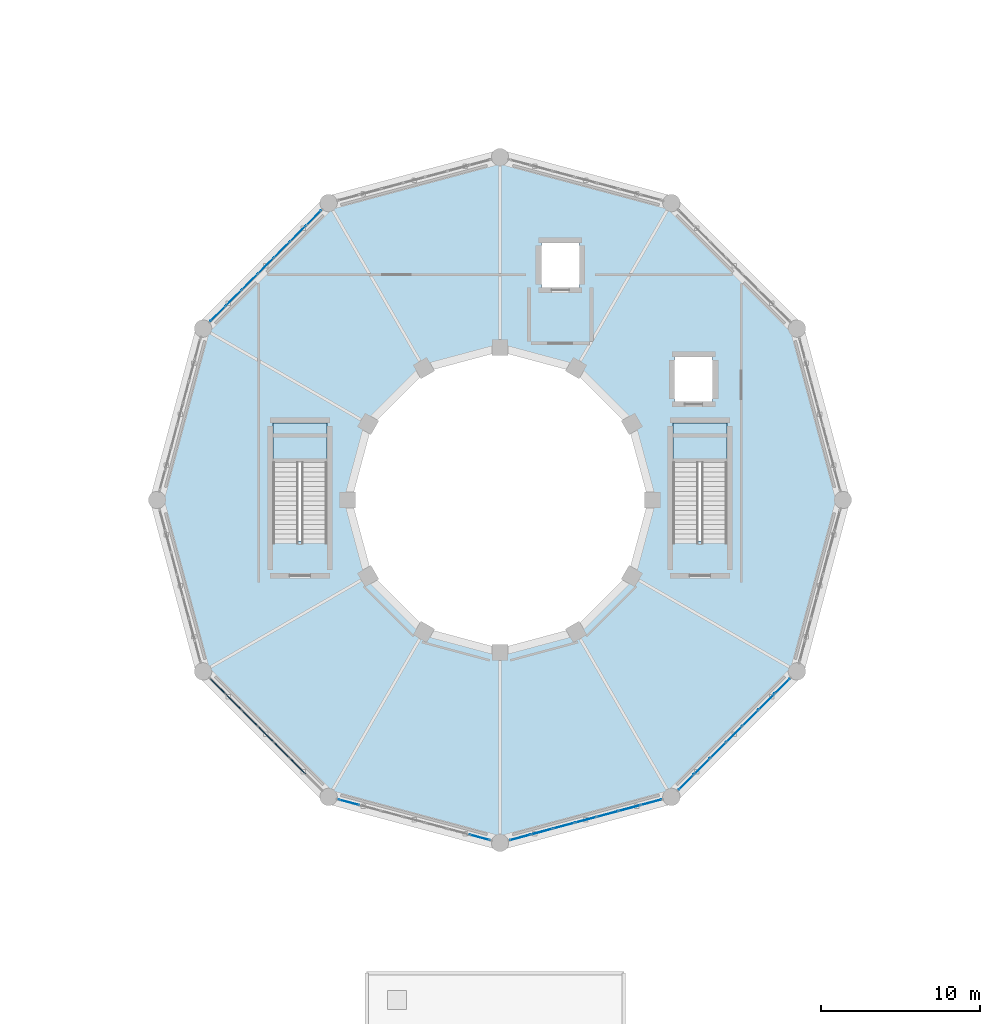
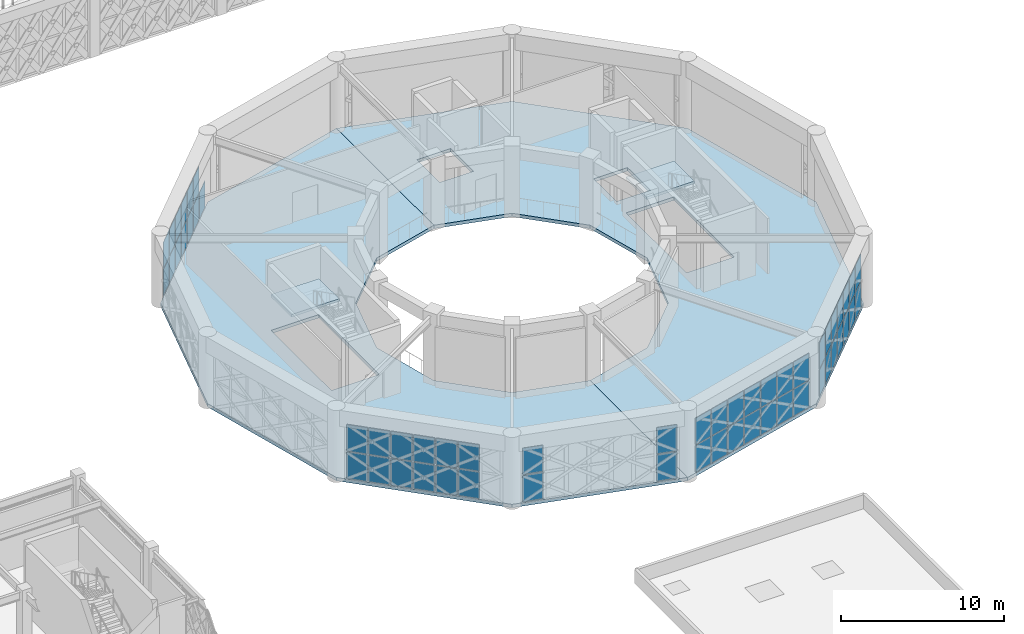
# One storey, part 59 of 72: 57 plates, 4 slabs, 7 elements without a shape of their own.
"""IFC4 building model written with IfcOpenShell, lengths in metres."""

import ifcopenshell
import ifcopenshell.guid

model = None  # the IFC model being written
_history = None  # IfcOwnerHistory: only IFC2X3 demands one
_inside = {}  # id of a spatial element -> (the spatial element, [elements in it])
_under = {}  # id of a project, library or spatial element -> (it, [spatial elements below it])
_declared = {}  # id of a project -> (the project, [libraries it declares])
_typed = {}  # id of a type object -> (the type object, [elements of that type])
_made_of = {}  # id of a material, layer set ... -> (it, [elements and type objects made of it])


def new_model(schema):
    """Start an empty IFC model of exactly this schema.

    Asked for "IFC4X3", IfcOpenShell would pick the latest addendum, in which some entities
    have other attributes; the version numbers below select the first issue.
    IFC2X3 requires an IfcOwnerHistory on every rooted entity: one is made here for all.
    """
    global model, _history
    if schema == "IFC4X3":
        model = ifcopenshell.file(schema_version=(4, 3, 0, 0))
    else:
        model = ifcopenshell.file(schema=schema)
    _inside.clear()
    _under.clear()
    _declared.clear()
    _typed.clear()
    _made_of.clear()
    _history = None
    if model.schema == "IFC2X3":
        org = make("IfcOrganization", Name="unknown")
        user = make(
            "IfcPersonAndOrganization",
            ThePerson=make("IfcPerson", FamilyName="unknown"),
            TheOrganization=org,
        )
        app = make(
            "IfcApplication",
            ApplicationDeveloper=org,
            Version="unknown",
            ApplicationFullName="unknown",
            ApplicationIdentifier="unknown",
        )
        _history = make(
            "IfcOwnerHistory",
            OwningUser=user,
            OwningApplication=app,
            ChangeAction="ADDED",
            CreationDate=0,
        )
    return model


def make(cls, **values):
    """One entity of the class cls with the attributes given. An attribute that is None is left unset."""
    return model.create_entity(
        cls, **{name: value for name, value in values.items() if value is not None}
    )


def rooted(cls, **values):
    """An entity with a GlobalId (a new one), such as an element, a storey or a relation."""
    return make(cls, GlobalId=ifcopenshell.guid.new(), OwnerHistory=_history, **values)


def si_unit(unit_type, name, prefix=None):
    """IfcSIUnit, for example si_unit("LENGTHUNIT", "METRE", prefix="MILLI")."""
    return make("IfcSIUnit", UnitType=unit_type, Prefix=prefix, Name=name)


def assignment(units):
    """IfcUnitAssignment: the units of a project."""
    return None if units is None else make("IfcUnitAssignment", Units=units)


def point(xyz):
    """IfcCartesianPoint."""
    return None if xyz is None else make("IfcCartesianPoint", Coordinates=xyz)


def direction(xyz):
    """IfcDirection."""
    return None if xyz is None else make("IfcDirection", DirectionRatios=xyz)


def frame(location, z_axis=None, x_axis=None):
    """IfcAxis2Placement3D, a coordinate frame: its origin and axes. An axis left out is left unset."""
    return make(
        "IfcAxis2Placement3D",
        Location=point(location),
        Axis=direction(z_axis),
        RefDirection=direction(x_axis),
    )


def frame_2d(location, x_axis=None):
    """IfcAxis2Placement2D, a coordinate frame in the plane: its origin and x axis."""
    return make(
        "IfcAxis2Placement2D", Location=point(location), RefDirection=direction(x_axis)
    )


def origin():
    """The frame at (0, 0, 0) with its axes left unset."""
    return frame((0.0, 0.0, 0.0))


def origin_2d():
    """The frame at (0, 0) in the plane with its x axis left unset."""
    return frame_2d((0.0, 0.0))


def place(relative_to, where):
    """IfcLocalPlacement: puts the frame where relative to a parent placement (None: the world)."""
    return make(
        "IfcLocalPlacement", PlacementRelTo=relative_to, RelativePlacement=where
    )


def context(
    kind, dimensions, precision=None, world=None, true_north=None, identifier=None
):
    """IfcGeometricRepresentationContext, for example the 3D "Model" context."""
    return make(
        "IfcGeometricRepresentationContext",
        ContextIdentifier=identifier,
        ContextType=kind,
        CoordinateSpaceDimension=dimensions,
        Precision=precision,
        WorldCoordinateSystem=world,
        TrueNorth=true_north,
    )


def subcontext(parent, identifier, kind, view, scale=None):
    """IfcGeometricRepresentationSubContext, for example "Body" below "Model"."""
    return make(
        "IfcGeometricRepresentationSubContext",
        ContextIdentifier=identifier,
        ContextType=kind,
        ParentContext=parent,
        TargetScale=scale,
        TargetView=view,
    )


def project(units=None, contexts=None):
    """IfcProject with its units and contexts."""
    return rooted(
        "IfcProject",
        Name="project",
        RepresentationContexts=contexts,
        UnitsInContext=assignment(units),
    )


def spatial(cls, under=None, at=None, **own):
    """A site, building, storey or space (cls), placed at a placement, below another one or the project."""
    s = rooted(cls, ObjectPlacement=at, **own)
    if under is not None:
        _under.setdefault(under.id(), (under, []))[1].append(s)
    return s


def polyline(points):
    """IfcPolyline through the points."""
    return make("IfcPolyline", Points=[point(p) for p in points])


def profile(cls, at=None, kind="AREA", **sizes):
    """A parametric profile (cls). Its sizes go by their IFC names, for example OverallWidth=200.0."""
    return make(cls, ProfileType=kind, Position=at, **sizes)


def rectangle(**sizes):
    """IfcRectangleProfileDef."""
    return profile("IfcRectangleProfileDef", **sizes)


def outline(outer, holes=None, kind="AREA"):
    """IfcArbitraryClosedProfileDef: a profile drawn as a closed curve; with holes, ...WithVoids."""
    if holes is None:
        return make("IfcArbitraryClosedProfileDef", ProfileType=kind, OuterCurve=outer)
    return make(
        "IfcArbitraryProfileDefWithVoids",
        ProfileType=kind,
        OuterCurve=outer,
        InnerCurves=holes,
    )


def extrude(swept, where, along, depth):
    """IfcExtrudedAreaSolid: the profile swept, set in the frame where, extruded along a direction by depth."""
    return make(
        "IfcExtrudedAreaSolid",
        SweptArea=swept,
        Position=where,
        ExtrudedDirection=direction(along),
        Depth=depth,
    )


def shape(context_of_items, identifier, shape_type, items):
    """IfcShapeRepresentation: the items that make up one representation, for example the "Body"."""
    return make(
        "IfcShapeRepresentation",
        ContextOfItems=context_of_items,
        RepresentationIdentifier=identifier,
        RepresentationType=shape_type,
        Items=items,
    )


def material(Name=None, Category=None):
    """IfcMaterial."""
    return make("IfcMaterial", Name=Name, Category=Category)


def layer(
    of_material, thickness, ventilated=None, Name=None, Category=None, Priority=None
):
    """IfcMaterialLayer: one layer of a wall or slab, of a material (None: an air gap)."""
    return make(
        "IfcMaterialLayer",
        Material=of_material,
        LayerThickness=thickness,
        IsVentilated=ventilated,
        Name=Name,
        Category=Category,
        Priority=Priority,
    )


def layer_set(layers, Name=None):
    """IfcMaterialLayerSet."""
    return make("IfcMaterialLayerSet", MaterialLayers=layers, LayerSetName=Name)


def made_of(thing, what):
    """Note that an element or type object is made of a material, layer set ...; save() writes the relation."""
    if what is not None:
        _made_of.setdefault(what.id(), (what, []))[1].append(thing)
    return thing


def type_object(cls, material=None, **own):
    """A type object (cls), such as IfcWallType, which elements share."""
    return made_of(rooted(cls, **own), material)


def element(
    cls,
    number,
    at=None,
    inside=None,
    cuts=None,
    type_object=None,
    material=None,
    context=None,
    identifier="Body",
    shape_type=None,
    held_by="IfcProductDefinitionShape",
    body=None,
    shapes=None,
    **own,
):
    """One element of the class cls, such as IfcWall. Its Tag is "e" and its number.

    at: its placement. inside: the storey or other place that contains it. cuts: it is an
    opening in that element (IfcRelVoidsElement). A single representation is given by context,
    identifier, shape_type and body (its items); several are given by shapes. held_by: the class
    of the entity that holds the representations. save() writes the other relations.
    """
    e = rooted(cls, Tag="e%d" % number, ObjectPlacement=at, **own)
    if body is not None:
        shapes = [shape(context, identifier, shape_type, body)]
    if shapes is not None:
        e.Representation = make(held_by, Representations=shapes)
    if inside is not None:
        _inside.setdefault(inside.id(), (inside, []))[1].append(e)
    if cuts is not None:
        rooted(
            "IfcRelVoidsElement", RelatingBuildingElement=cuts, RelatedOpeningElement=e
        )
    if type_object is not None:
        _typed.setdefault(type_object.id(), (type_object, []))[1].append(e)
    return made_of(e, material)


def aggregate(whole, parts):
    """IfcRelAggregates: a whole, such as a stair, and the parts it consists of."""
    return rooted("IfcRelAggregates", RelatingObject=whole, RelatedObjects=parts)


def save(model, path):
    """Write the relations noted so far, then the file.

    IfcRelAggregates (storeys below a building ...), IfcRelContainedInSpatialStructure (elements
    in a storey), IfcRelDefinesByType, IfcRelAssociatesMaterial and IfcRelDeclares: one each for
    every whole, place, type object, material and project.
    """
    for whole, parts in _under.values():
        aggregate(whole, parts)
    for where, things in _inside.values():
        rooted(
            "IfcRelContainedInSpatialStructure",
            RelatedElements=things,
            RelatingStructure=where,
        )
    for kind, things in _typed.values():
        rooted("IfcRelDefinesByType", RelatedObjects=things, RelatingType=kind)
    for what, things in _made_of.values():
        rooted("IfcRelAssociatesMaterial", RelatedObjects=things, RelatingMaterial=what)
    for by, libraries in _declared.values():
        rooted("IfcRelDeclares", RelatingContext=by, RelatedDefinitions=libraries)
    model.write(path)


model = new_model("IFC4")

# Units and contexts
model_context = context("Model", 3, precision=1e-05, world=origin(), true_north=direction((0.0, 1.0)))
body_context = subcontext(model_context, "Body", "Model", "MODEL_VIEW")
ifc_project = project(units=[si_unit("LENGTHUNIT", "METRE"), si_unit("AREAUNIT", "SQUARE_METRE"), si_unit("VOLUMEUNIT", "CUBIC_METRE"), si_unit("PLANEANGLEUNIT", "RADIAN"), si_unit("MASSUNIT", "GRAM", prefix="KILO")], contexts=[model_context])

# Site, building, storey
site_placement = place(None, origin())
site = spatial("IfcSite", under=ifc_project, at=site_placement, CompositionType="ELEMENT")
building_placement = place(site_placement, origin())
building = spatial("IfcBuilding", under=site, at=building_placement, Name="Haizhuo Lancet Aquarium", CompositionType="ELEMENT")
storey_placement = place(building_placement, frame((0.0, 0.0, 21.60009765625)))
storey = spatial("IfcBuildingStorey", under=building, at=storey_placement, Name="L04", CompositionType="ELEMENT", Elevation=21.60009765625)

# Curtain wall, plates
ifc_material_1 = material(Name="Aluminium 6063-T6", Category="aluminium")
curtain_wall_type = type_object("IfcCurtainWallType", Name="CWO-9990x4180", PredefinedType="NOTDEFINED", material=ifc_material_1)
curtain_wall_1_placement = place(storey_placement, origin())
curtain_wall_1 = element("IfcCurtainWall", 1, at=curtain_wall_1_placement, inside=storey, type_object=curtain_wall_type, Name="L04 curtain wall CW-V1-L04-05", PredefinedType="NOTDEFINED")
ifc_material_2 = material(Name="Laminated Low-E Glass", Category="glass")
ifc_layer_1 = layer(ifc_material_2, 0.028076171875)
ifc_layer_set_1 = layer_set([ifc_layer_1], Name="Laminated Low-E Glass")
plate_type_1 = type_object("IfcPlateType", Name="CW-PNL-1", PredefinedType="CURTAIN_PANEL", material=ifc_layer_set_1)
plate_1_placement = place(storey_placement, frame((-17.76708984375, 11.739013671875, 0.074951171875), z_axis=(0.0, 0.0, 1.0), x_axis=(0.707106781187, 0.707106781187, 0.0)))
plate_1 = element("IfcPlate", 2, at=plate_1_placement, type_object=plate_type_1, Name="CWO-99x41 panel 1.1", PredefinedType="CURTAIN_PANEL", context=body_context, shape_type="SweptSolid", body=[
    extrude(rectangle(XDim=1.31494140625, YDim=0.028076171875, at=origin_2d()), origin(), (0.0, 0.0, 1.0), 1.97998046875),
])
plate_2_placement = place(storey_placement, frame((-17.76708984375, 11.739013671875, 2.13037109375), z_axis=(0.0, 0.0, 1.0), x_axis=(0.707106781187, 0.707106781187, 0.0)))
plate_2 = element("IfcPlate", 3, at=plate_2_placement, type_object=plate_type_1, Name="CWO-99x41 panel 1.2", PredefinedType="CURTAIN_PANEL", context=body_context, shape_type="SweptSolid", body=[
    extrude(rectangle(XDim=1.31494140625, YDim=0.028076171875, at=origin_2d()), origin(), (0.0, 0.0, 1.0), 1.97900390625),
])
plate_3_placement = place(storey_placement, frame((-16.77099609375, 12.735107421875, 0.074951171875), z_axis=(0.0, 0.0, 1.0), x_axis=(0.707106781187, 0.707106781187, 0.0)))
plate_3 = element("IfcPlate", 4, at=plate_3_placement, type_object=plate_type_1, Name="CWO-99x41 panel 2.1", PredefinedType="CURTAIN_PANEL", context=body_context, shape_type="SweptSolid", body=[
    extrude(rectangle(XDim=1.35205078125, YDim=0.028076171875, at=origin_2d()), origin(), (0.0, 0.0, 1.0), 1.97998046875),
])
plate_4_placement = place(storey_placement, frame((-16.77099609375, 12.735107421875, 2.13037109375), z_axis=(0.0, 0.0, 1.0), x_axis=(0.707106781187, 0.707106781187, 0.0)))
plate_4 = element("IfcPlate", 5, at=plate_4_placement, type_object=plate_type_1, Name="CWO-99x41 panel 2.2", PredefinedType="CURTAIN_PANEL", context=body_context, shape_type="SweptSolid", body=[
    extrude(rectangle(XDim=1.35205078125, YDim=0.028076171875, at=origin_2d()), origin(), (0.0, 0.0, 1.0), 1.97900390625),
])
plate_5_placement = place(storey_placement, frame((-15.761962890625, 13.743896484375, 0.074951171875), z_axis=(0.0, 0.0, 1.0), x_axis=(0.707106781187, 0.707106781187, 0.0)))
plate_5 = element("IfcPlate", 6, at=plate_5_placement, type_object=plate_type_1, Name="CWO-99x41 panel 3.1", PredefinedType="CURTAIN_PANEL", context=body_context, shape_type="SweptSolid", body=[
    extrude(rectangle(XDim=1.35205078125, YDim=0.028076171875, at=origin_2d()), origin(), (0.0, 0.0, 1.0), 1.97998046875),
])
plate_6_placement = place(storey_placement, frame((-15.761962890625, 13.743896484375, 2.13037109375), z_axis=(0.0, 0.0, 1.0), x_axis=(0.707106781187, 0.707106781187, 0.0)))
plate_6 = element("IfcPlate", 7, at=plate_6_placement, type_object=plate_type_1, Name="CWO-99x41 panel 3.2", PredefinedType="CURTAIN_PANEL", context=body_context, shape_type="SweptSolid", body=[
    extrude(rectangle(XDim=1.35205078125, YDim=0.028076171875, at=origin_2d()), origin(), (0.0, 0.0, 1.0), 1.97900390625),
])
plate_7_placement = place(storey_placement, frame((-14.7529296875, 14.7529296875, 0.074951171875), z_axis=(0.0, 0.0, 1.0), x_axis=(0.707106781187, 0.707106781187, 0.0)))
plate_7 = element("IfcPlate", 8, at=plate_7_placement, type_object=plate_type_1, Name="CWO-99x41 panel 4.1", PredefinedType="CURTAIN_PANEL", context=body_context, shape_type="SweptSolid", body=[
    extrude(rectangle(XDim=1.35205078125, YDim=0.028076171875, at=origin_2d()), origin(), (0.0, 0.0, 1.0), 1.97998046875),
])
plate_8_placement = place(storey_placement, frame((-14.7529296875, 14.7529296875, 2.13037109375), z_axis=(0.0, 0.0, 1.0), x_axis=(0.707106781187, 0.707106781187, 0.0)))
plate_8 = element("IfcPlate", 9, at=plate_8_placement, type_object=plate_type_1, Name="CWO-99x41 panel 4.2", PredefinedType="CURTAIN_PANEL", context=body_context, shape_type="SweptSolid", body=[
    extrude(rectangle(XDim=1.35205078125, YDim=0.028076171875, at=origin_2d()), origin(), (0.0, 0.0, 1.0), 1.97900390625),
])
plate_9_placement = place(storey_placement, frame((-13.743896484375, 15.761962890625, 0.074951171875), z_axis=(0.0, 0.0, 1.0), x_axis=(0.707106781187, 0.707106781187, 0.0)))
plate_9 = element("IfcPlate", 10, at=plate_9_placement, type_object=plate_type_1, Name="CWO-99x41 panel 5.1", PredefinedType="CURTAIN_PANEL", context=body_context, shape_type="SweptSolid", body=[
    extrude(rectangle(XDim=1.35205078125, YDim=0.028076171875, at=origin_2d()), origin(), (0.0, 0.0, 1.0), 1.97998046875),
])
plate_10_placement = place(storey_placement, frame((-13.743896484375, 15.761962890625, 2.13037109375), z_axis=(0.0, 0.0, 1.0), x_axis=(0.707106781187, 0.707106781187, 0.0)))
plate_10 = element("IfcPlate", 11, at=plate_10_placement, type_object=plate_type_1, Name="CWO-99x41 panel 5.2", PredefinedType="CURTAIN_PANEL", context=body_context, shape_type="SweptSolid", body=[
    extrude(rectangle(XDim=1.35205078125, YDim=0.028076171875, at=origin_2d()), origin(), (0.0, 0.0, 1.0), 1.97900390625),
])
plate_11_placement = place(storey_placement, frame((-12.735107421875, 16.77099609375, 0.074951171875), z_axis=(0.0, 0.0, 1.0), x_axis=(0.707106781187, 0.707106781187, 0.0)))
plate_11 = element("IfcPlate", 12, at=plate_11_placement, type_object=plate_type_1, Name="CWO-99x41 panel 6.1", PredefinedType="CURTAIN_PANEL", context=body_context, shape_type="SweptSolid", body=[
    extrude(rectangle(XDim=1.35205078125, YDim=0.028076171875, at=origin_2d()), origin(), (0.0, 0.0, 1.0), 1.97998046875),
])
plate_12_placement = place(storey_placement, frame((-12.735107421875, 16.77099609375, 2.13037109375), z_axis=(0.0, 0.0, 1.0), x_axis=(0.707106781187, 0.707106781187, 0.0)))
plate_12 = element("IfcPlate", 13, at=plate_12_placement, type_object=plate_type_1, Name="CWO-99x41 panel 6.2", PredefinedType="CURTAIN_PANEL", context=body_context, shape_type="SweptSolid", body=[
    extrude(rectangle(XDim=1.35205078125, YDim=0.028076171875, at=origin_2d()), origin(), (0.0, 0.0, 1.0), 1.97900390625),
])
plate_13_placement = place(storey_placement, frame((-11.739013671875, 17.76708984375, 0.074951171875), z_axis=(0.0, 0.0, 1.0), x_axis=(0.707106781187, 0.707106781187, 0.0)))
plate_13 = element("IfcPlate", 14, at=plate_13_placement, type_object=plate_type_1, Name="CWO-99x41 panel 7.1", PredefinedType="CURTAIN_PANEL", context=body_context, shape_type="SweptSolid", body=[
    extrude(rectangle(XDim=1.31494140625, YDim=0.028076171875, at=origin_2d()), origin(), (0.0, 0.0, 1.0), 1.97998046875),
])
aggregate(curtain_wall_1, [plate_1, plate_2, plate_3, plate_4, plate_5, plate_6, plate_7, plate_8, plate_9, plate_10, plate_11, plate_12, plate_13])

curtain_wall_2_placement = place(storey_placement, origin())
curtain_wall_2 = element("IfcCurtainWall", 15, at=curtain_wall_2_placement, inside=storey, type_object=curtain_wall_type, Name="L04 curtain wall CW-V1-L04-09", PredefinedType="NOTDEFINED")
plate_14_placement = place(storey_placement, frame((-1.283935546875, -21.256103515625, 0.07958984375), z_axis=(0.0, 0.0, 1.0), x_axis=(-0.965916791212, 0.258852762117, 0.0)))
plate_14 = element("IfcPlate", 16, at=plate_14_placement, type_object=plate_type_1, Name="CWO-99x41 panel 1.1", PredefinedType="CURTAIN_PANEL", context=body_context, shape_type="SweptSolid", body=[
    extrude(rectangle(XDim=1.306884765625, YDim=0.028076171875, at=origin_2d()), origin(), (0.0, 0.0, 1.0), 1.972900390625),
])
plate_15_placement = place(storey_placement, frame((-1.283935546875, -21.256103515625, 2.1328125), z_axis=(0.0, 0.0, 1.0), x_axis=(-0.965916791212, 0.258852762117, 0.0)))
plate_15 = element("IfcPlate", 17, at=plate_15_placement, type_object=plate_type_1, Name="CWO-99x41 panel 1.2", PredefinedType="CURTAIN_PANEL", context=body_context, shape_type="SweptSolid", body=[
    extrude(rectangle(XDim=1.306884765625, YDim=0.028076171875, at=origin_2d()), origin(), (0.0, 0.0, 1.0), 1.971923828125),
])
plate_16_placement = place(storey_placement, frame((-9.51611328125, -19.050048828125, 0.07958984375), z_axis=(0.0, 0.0, 1.0), x_axis=(-0.965916791212, 0.258852762117, 0.0)))
plate_16 = element("IfcPlate", 18, at=plate_16_placement, type_object=plate_type_1, Name="CWO-99x41 panel 7.1", PredefinedType="CURTAIN_PANEL", context=body_context, shape_type="SweptSolid", body=[
    extrude(rectangle(XDim=1.306884765625, YDim=0.028076171875, at=origin_2d()), origin(), (0.0, 0.0, 1.0), 1.972900390625),
])
plate_17_placement = place(storey_placement, frame((-9.51611328125, -19.050048828125, 2.1328125), z_axis=(0.0, 0.0, 1.0), x_axis=(-0.965916791212, 0.258852762117, 0.0)))
plate_17 = element("IfcPlate", 19, at=plate_17_placement, type_object=plate_type_1, Name="CWO-99x41 panel 7.2", PredefinedType="CURTAIN_PANEL", context=body_context, shape_type="SweptSolid", body=[
    extrude(rectangle(XDim=1.306884765625, YDim=0.028076171875, at=origin_2d()), origin(), (0.0, 0.0, 1.0), 1.971923828125),
])
aggregate(curtain_wall_2, [plate_14, plate_15, plate_16, plate_17])

curtain_wall_3_placement = place(storey_placement, origin())
curtain_wall_3 = element("IfcCurtainWall", 20, at=curtain_wall_3_placement, inside=storey, type_object=curtain_wall_type, Name="L04 curtain wall CW-V1-L04-10", PredefinedType="NOTDEFINED")
ifc_layer_2 = layer(ifc_material_2, 0.033935546875)
ifc_layer_set_2 = layer_set([ifc_layer_2], Name="Laminated Low-E Glass")
plate_type_2 = type_object("IfcPlateType", Name="CW-PNL-2", PredefinedType="CURTAIN_PANEL", material=ifc_layer_set_2)
plate_18_placement = place(storey_placement, frame((9.52001953125, -19.049072265625, 0.06494140625), z_axis=(0.0, 0.0, 1.0), x_axis=(-0.965916791212, -0.258852762117, 0.0)))
plate_18 = element("IfcPlate", 21, at=plate_18_placement, type_object=plate_type_2, Name="CWO-99x41 panel 1.1", PredefinedType="CURTAIN_PANEL", context=body_context, shape_type="SweptSolid", body=[
    extrude(rectangle(XDim=1.330078125, YDim=0.033935546875, at=origin_2d()), origin(), (0.0, 0.0, 1.0), 1.99609375),
])
plate_19_placement = place(storey_placement, frame((9.52001953125, -19.049072265625, 2.125244140625), z_axis=(0.0, 0.0, 1.0), x_axis=(-0.965916791212, -0.258852762117, 0.0)))
plate_19 = element("IfcPlate", 22, at=plate_19_placement, type_object=plate_type_2, Name="CWO-99x41 panel 1.2", PredefinedType="CURTAIN_PANEL", context=body_context, shape_type="SweptSolid", body=[
    extrude(rectangle(XDim=1.330078125, YDim=0.033935546875, at=origin_2d()), origin(), (0.0, 0.0, 1.0), 1.9951171875),
])
plate_20_placement = place(storey_placement, frame((8.156982421875, -19.4140625, 0.06494140625), z_axis=(0.0, 0.0, 1.0), x_axis=(-0.965916791212, -0.258852762117, 0.0)))
plate_20 = element("IfcPlate", 23, at=plate_20_placement, type_object=plate_type_2, Name="CWO-99x41 panel 2.1", PredefinedType="CURTAIN_PANEL", context=body_context, shape_type="SweptSolid", body=[
    extrude(rectangle(XDim=1.362060546875, YDim=0.033935546875, at=origin_2d()), origin(), (0.0, 0.0, 1.0), 1.99609375),
])
plate_21_placement = place(storey_placement, frame((8.156982421875, -19.4140625, 2.125244140625), z_axis=(0.0, 0.0, 1.0), x_axis=(-0.965916791212, -0.258852762117, 0.0)))
plate_21 = element("IfcPlate", 24, at=plate_21_placement, type_object=plate_type_2, Name="CWO-99x41 panel 2.2", PredefinedType="CURTAIN_PANEL", context=body_context, shape_type="SweptSolid", body=[
    extrude(rectangle(XDim=1.362060546875, YDim=0.033935546875, at=origin_2d()), origin(), (0.0, 0.0, 1.0), 1.9951171875),
])
plate_22_placement = place(storey_placement, frame((6.779052734375, -19.783935546875, 0.06494140625), z_axis=(0.0, 0.0, 1.0), x_axis=(-0.965916791212, -0.258852762117, 0.0)))
plate_22 = element("IfcPlate", 25, at=plate_22_placement, type_object=plate_type_2, Name="CWO-99x41 panel 3.1", PredefinedType="CURTAIN_PANEL", context=body_context, shape_type="SweptSolid", body=[
    extrude(rectangle(XDim=1.362060546875, YDim=0.033935546875, at=origin_2d()), origin(), (0.0, 0.0, 1.0), 1.99609375),
])
plate_23_placement = place(storey_placement, frame((6.779052734375, -19.783935546875, 2.125244140625), z_axis=(0.0, 0.0, 1.0), x_axis=(-0.965916791212, -0.258852762117, 0.0)))
plate_23 = element("IfcPlate", 26, at=plate_23_placement, type_object=plate_type_2, Name="CWO-99x41 panel 3.2", PredefinedType="CURTAIN_PANEL", context=body_context, shape_type="SweptSolid", body=[
    extrude(rectangle(XDim=1.362060546875, YDim=0.033935546875, at=origin_2d()), origin(), (0.0, 0.0, 1.0), 1.9951171875),
])
plate_24_placement = place(storey_placement, frame((5.39990234375, -20.153076171875, 0.06494140625), z_axis=(0.0, 0.0, 1.0), x_axis=(-0.965916791212, -0.258852762117, 0.0)))
plate_24 = element("IfcPlate", 27, at=plate_24_placement, type_object=plate_type_2, Name="CWO-99x41 panel 4.1", PredefinedType="CURTAIN_PANEL", context=body_context, shape_type="SweptSolid", body=[
    extrude(rectangle(XDim=1.362060546875, YDim=0.033935546875, at=origin_2d()), origin(), (0.0, 0.0, 1.0), 1.99609375),
])
plate_25_placement = place(storey_placement, frame((5.39990234375, -20.153076171875, 2.125244140625), z_axis=(0.0, 0.0, 1.0), x_axis=(-0.965916791212, -0.258852762117, 0.0)))
plate_25 = element("IfcPlate", 28, at=plate_25_placement, type_object=plate_type_2, Name="CWO-99x41 panel 4.2", PredefinedType="CURTAIN_PANEL", context=body_context, shape_type="SweptSolid", body=[
    extrude(rectangle(XDim=1.362060546875, YDim=0.033935546875, at=origin_2d()), origin(), (0.0, 0.0, 1.0), 1.9951171875),
])
plate_26_placement = place(storey_placement, frame((4.02099609375, -20.52197265625, 0.06494140625), z_axis=(0.0, 0.0, 1.0), x_axis=(-0.965916791212, -0.258852762117, 0.0)))
plate_26 = element("IfcPlate", 29, at=plate_26_placement, type_object=plate_type_2, Name="CWO-99x41 panel 5.1", PredefinedType="CURTAIN_PANEL", context=body_context, shape_type="SweptSolid", body=[
    extrude(rectangle(XDim=1.362060546875, YDim=0.033935546875, at=origin_2d()), origin(), (0.0, 0.0, 1.0), 1.99609375),
])
plate_27_placement = place(storey_placement, frame((4.02099609375, -20.52197265625, 2.125244140625), z_axis=(0.0, 0.0, 1.0), x_axis=(-0.965916791212, -0.258852762117, 0.0)))
plate_27 = element("IfcPlate", 30, at=plate_27_placement, type_object=plate_type_2, Name="CWO-99x41 panel 5.2", PredefinedType="CURTAIN_PANEL", context=body_context, shape_type="SweptSolid", body=[
    extrude(rectangle(XDim=1.362060546875, YDim=0.033935546875, at=origin_2d()), origin(), (0.0, 0.0, 1.0), 1.9951171875),
])
plate_28_placement = place(storey_placement, frame((2.64306640625, -20.89208984375, 0.06494140625), z_axis=(0.0, 0.0, 1.0), x_axis=(-0.965916791212, -0.258852762117, 0.0)))
plate_28 = element("IfcPlate", 31, at=plate_28_placement, type_object=plate_type_2, Name="CWO-99x41 panel 6.1", PredefinedType="CURTAIN_PANEL", context=body_context, shape_type="SweptSolid", body=[
    extrude(rectangle(XDim=1.362060546875, YDim=0.033935546875, at=origin_2d()), origin(), (0.0, 0.0, 1.0), 1.99609375),
])
plate_29_placement = place(storey_placement, frame((2.64306640625, -20.89208984375, 2.125244140625), z_axis=(0.0, 0.0, 1.0), x_axis=(-0.965916791212, -0.258852762117, 0.0)))
plate_29 = element("IfcPlate", 32, at=plate_29_placement, type_object=plate_type_2, Name="CWO-99x41 panel 6.2", PredefinedType="CURTAIN_PANEL", context=body_context, shape_type="SweptSolid", body=[
    extrude(rectangle(XDim=1.362060546875, YDim=0.033935546875, at=origin_2d()), origin(), (0.0, 0.0, 1.0), 1.9951171875),
])
plate_30_placement = place(storey_placement, frame((1.280029296875, -21.257080078125, 0.06494140625), z_axis=(0.0, 0.0, 1.0), x_axis=(-0.965916791212, -0.258852762117, 0.0)))
plate_30 = element("IfcPlate", 33, at=plate_30_placement, type_object=plate_type_2, Name="CWO-99x41 panel 7.1", PredefinedType="CURTAIN_PANEL", context=body_context, shape_type="SweptSolid", body=[
    extrude(rectangle(XDim=1.330078125, YDim=0.033935546875, at=origin_2d()), origin(), (0.0, 0.0, 1.0), 1.99609375),
])
plate_31_placement = place(storey_placement, frame((1.280029296875, -21.257080078125, 2.125244140625), z_axis=(0.0, 0.0, 1.0), x_axis=(-0.965916791212, -0.258852762117, 0.0)))
plate_31 = element("IfcPlate", 34, at=plate_31_placement, type_object=plate_type_2, Name="CWO-99x41 panel 7.2", PredefinedType="CURTAIN_PANEL", context=body_context, shape_type="SweptSolid", body=[
    extrude(rectangle(XDim=1.330078125, YDim=0.033935546875, at=origin_2d()), origin(), (0.0, 0.0, 1.0), 1.9951171875),
])
aggregate(curtain_wall_3, [plate_18, plate_19, plate_20, plate_21, plate_22, plate_23, plate_24, plate_25, plate_26, plate_27, plate_28, plate_29, plate_30, plate_31])

curtain_wall_4_placement = place(storey_placement, origin())
curtain_wall_4 = element("IfcCurtainWall", 35, at=curtain_wall_4_placement, inside=storey, type_object=curtain_wall_type, Name="L04 curtain wall CW-V1-L04-11", PredefinedType="NOTDEFINED")
ifc_layer_3 = layer(ifc_material_2, 0.0419921875)
ifc_layer_set_3 = layer_set([ifc_layer_3], Name="Laminated Low-E Glass")
plate_type_3 = type_object("IfcPlateType", Name="CW-PNL-3", PredefinedType="CURTAIN_PANEL", material=ifc_layer_set_3)
plate_32_placement = place(storey_placement, frame((17.76708984375, -11.739013671875, 0.074951171875), z_axis=(0.0, 0.0, 1.0), x_axis=(-0.707106781187, -0.707106781187, 0.0)))
plate_32 = element("IfcPlate", 36, at=plate_32_placement, type_object=plate_type_3, Name="CWO-99x41 panel 1.1", PredefinedType="CURTAIN_PANEL", context=body_context, shape_type="SweptSolid", body=[
    extrude(rectangle(XDim=1.31494140625, YDim=0.0419921875, at=origin_2d()), origin(), (0.0, 0.0, 1.0), 1.97998046875),
])
plate_33_placement = place(storey_placement, frame((17.76708984375, -11.739013671875, 2.13037109375), z_axis=(0.0, 0.0, 1.0), x_axis=(-0.707106781187, -0.707106781187, 0.0)))
plate_33 = element("IfcPlate", 37, at=plate_33_placement, type_object=plate_type_3, Name="CWO-99x41 panel 1.2", PredefinedType="CURTAIN_PANEL", context=body_context, shape_type="SweptSolid", body=[
    extrude(rectangle(XDim=1.31494140625, YDim=0.0419921875, at=origin_2d()), origin(), (0.0, 0.0, 1.0), 1.97900390625),
])
plate_34_placement = place(storey_placement, frame((16.77099609375, -12.735107421875, 0.074951171875), z_axis=(0.0, 0.0, 1.0), x_axis=(-0.707106781187, -0.707106781187, 0.0)))
plate_34 = element("IfcPlate", 38, at=plate_34_placement, type_object=plate_type_3, Name="CWO-99x41 panel 2.1", PredefinedType="CURTAIN_PANEL", context=body_context, shape_type="SweptSolid", body=[
    extrude(rectangle(XDim=1.35205078125, YDim=0.0419921875, at=origin_2d()), origin(), (0.0, 0.0, 1.0), 1.97998046875),
])
plate_35_placement = place(storey_placement, frame((16.77099609375, -12.735107421875, 2.13037109375), z_axis=(0.0, 0.0, 1.0), x_axis=(-0.707106781187, -0.707106781187, 0.0)))
plate_35 = element("IfcPlate", 39, at=plate_35_placement, type_object=plate_type_3, Name="CWO-99x41 panel 2.2", PredefinedType="CURTAIN_PANEL", context=body_context, shape_type="SweptSolid", body=[
    extrude(rectangle(XDim=1.35205078125, YDim=0.0419921875, at=origin_2d()), origin(), (0.0, 0.0, 1.0), 1.97900390625),
])
plate_36_placement = place(storey_placement, frame((15.761962890625, -13.743896484375, 0.074951171875), z_axis=(0.0, 0.0, 1.0), x_axis=(-0.707106781187, -0.707106781187, 0.0)))
plate_36 = element("IfcPlate", 40, at=plate_36_placement, type_object=plate_type_3, Name="CWO-99x41 panel 3.1", PredefinedType="CURTAIN_PANEL", context=body_context, shape_type="SweptSolid", body=[
    extrude(rectangle(XDim=1.35205078125, YDim=0.0419921875, at=origin_2d()), origin(), (0.0, 0.0, 1.0), 1.97998046875),
])
plate_37_placement = place(storey_placement, frame((15.761962890625, -13.743896484375, 2.13037109375), z_axis=(0.0, 0.0, 1.0), x_axis=(-0.707106781187, -0.707106781187, 0.0)))
plate_37 = element("IfcPlate", 41, at=plate_37_placement, type_object=plate_type_3, Name="CWO-99x41 panel 3.2", PredefinedType="CURTAIN_PANEL", context=body_context, shape_type="SweptSolid", body=[
    extrude(rectangle(XDim=1.35205078125, YDim=0.0419921875, at=origin_2d()), origin(), (0.0, 0.0, 1.0), 1.97900390625),
])
plate_38_placement = place(storey_placement, frame((14.7529296875, -14.7529296875, 0.074951171875), z_axis=(0.0, 0.0, 1.0), x_axis=(-0.707106781187, -0.707106781187, 0.0)))
plate_38 = element("IfcPlate", 42, at=plate_38_placement, type_object=plate_type_3, Name="CWO-99x41 panel 4.1", PredefinedType="CURTAIN_PANEL", context=body_context, shape_type="SweptSolid", body=[
    extrude(rectangle(XDim=1.35205078125, YDim=0.0419921875, at=origin_2d()), origin(), (0.0, 0.0, 1.0), 1.97998046875),
])
plate_39_placement = place(storey_placement, frame((14.7529296875, -14.7529296875, 2.13037109375), z_axis=(0.0, 0.0, 1.0), x_axis=(-0.707106781187, -0.707106781187, 0.0)))
plate_39 = element("IfcPlate", 43, at=plate_39_placement, type_object=plate_type_3, Name="CWO-99x41 panel 4.2", PredefinedType="CURTAIN_PANEL", context=body_context, shape_type="SweptSolid", body=[
    extrude(rectangle(XDim=1.35205078125, YDim=0.0419921875, at=origin_2d()), origin(), (0.0, 0.0, 1.0), 1.97900390625),
])
plate_40_placement = place(storey_placement, frame((13.743896484375, -15.761962890625, 0.074951171875), z_axis=(0.0, 0.0, 1.0), x_axis=(-0.707106781187, -0.707106781187, 0.0)))
plate_40 = element("IfcPlate", 44, at=plate_40_placement, type_object=plate_type_3, Name="CWO-99x41 panel 5.1", PredefinedType="CURTAIN_PANEL", context=body_context, shape_type="SweptSolid", body=[
    extrude(rectangle(XDim=1.35205078125, YDim=0.0419921875, at=origin_2d()), origin(), (0.0, 0.0, 1.0), 1.97998046875),
])
plate_41_placement = place(storey_placement, frame((13.743896484375, -15.761962890625, 2.13037109375), z_axis=(0.0, 0.0, 1.0), x_axis=(-0.707106781187, -0.707106781187, 0.0)))
plate_41 = element("IfcPlate", 45, at=plate_41_placement, type_object=plate_type_3, Name="CWO-99x41 panel 5.2", PredefinedType="CURTAIN_PANEL", context=body_context, shape_type="SweptSolid", body=[
    extrude(rectangle(XDim=1.35205078125, YDim=0.0419921875, at=origin_2d()), origin(), (0.0, 0.0, 1.0), 1.97900390625),
])
plate_42_placement = place(storey_placement, frame((12.735107421875, -16.77099609375, 0.074951171875), z_axis=(0.0, 0.0, 1.0), x_axis=(-0.707106781187, -0.707106781187, 0.0)))
plate_42 = element("IfcPlate", 46, at=plate_42_placement, type_object=plate_type_3, Name="CWO-99x41 panel 6.1", PredefinedType="CURTAIN_PANEL", context=body_context, shape_type="SweptSolid", body=[
    extrude(rectangle(XDim=1.35205078125, YDim=0.0419921875, at=origin_2d()), origin(), (0.0, 0.0, 1.0), 1.97998046875),
])
plate_43_placement = place(storey_placement, frame((12.735107421875, -16.77099609375, 2.13037109375), z_axis=(0.0, 0.0, 1.0), x_axis=(-0.707106781187, -0.707106781187, 0.0)))
plate_43 = element("IfcPlate", 47, at=plate_43_placement, type_object=plate_type_3, Name="CWO-99x41 panel 6.2", PredefinedType="CURTAIN_PANEL", context=body_context, shape_type="SweptSolid", body=[
    extrude(rectangle(XDim=1.35205078125, YDim=0.0419921875, at=origin_2d()), origin(), (0.0, 0.0, 1.0), 1.97900390625),
])
plate_44_placement = place(storey_placement, frame((11.739013671875, -17.76708984375, 0.074951171875), z_axis=(0.0, 0.0, 1.0), x_axis=(-0.707106781187, -0.707106781187, 0.0)))
plate_44 = element("IfcPlate", 48, at=plate_44_placement, type_object=plate_type_3, Name="CWO-99x41 panel 7.1", PredefinedType="CURTAIN_PANEL", context=body_context, shape_type="SweptSolid", body=[
    extrude(rectangle(XDim=1.31494140625, YDim=0.0419921875, at=origin_2d()), origin(), (0.0, 0.0, 1.0), 1.97998046875),
])
plate_45_placement = place(storey_placement, frame((11.739013671875, -17.76708984375, 2.13037109375), z_axis=(0.0, 0.0, 1.0), x_axis=(-0.707106781187, -0.707106781187, 0.0)))
plate_45 = element("IfcPlate", 49, at=plate_45_placement, type_object=plate_type_3, Name="CWO-99x41 panel 7.2", PredefinedType="CURTAIN_PANEL", context=body_context, shape_type="SweptSolid", body=[
    extrude(rectangle(XDim=1.31494140625, YDim=0.0419921875, at=origin_2d()), origin(), (0.0, 0.0, 1.0), 1.97900390625),
])
aggregate(curtain_wall_4, [plate_32, plate_33, plate_34, plate_35, plate_36, plate_37, plate_38, plate_39, plate_40, plate_41, plate_42, plate_43, plate_44, plate_45])

curtain_wall_5_placement = place(storey_placement, origin())
curtain_wall_5 = element("IfcCurtainWall", 50, at=curtain_wall_5_placement, inside=storey, type_object=curtain_wall_type, Name="L04 curtain wall CW-V1-L04-08", PredefinedType="NOTDEFINED")
ifc_layer_4 = layer(ifc_material_2, 0.052001953125)
ifc_layer_set_4 = layer_set([ifc_layer_4], Name="Laminated Low-E Glass")
plate_type_4 = type_object("IfcPlateType", Name="CW-PNL-4", PredefinedType="CURTAIN_PANEL", material=ifc_layer_set_4)
plate_46_placement = place(storey_placement, frame((-12.735107421875, -16.77099609375, 0.074951171875), z_axis=(0.0, 0.0, 1.0), x_axis=(-0.707106781187, 0.707106781187, 0.0)))
plate_46 = element("IfcPlate", 51, at=plate_46_placement, type_object=plate_type_4, Name="CWO-99x41 panel 2.1", PredefinedType="CURTAIN_PANEL", context=body_context, shape_type="SweptSolid", body=[
    extrude(rectangle(XDim=1.35205078125, YDim=0.052001953125, at=origin_2d()), origin(), (0.0, 0.0, 1.0), 1.97998046875),
])
plate_47_placement = place(storey_placement, frame((-12.735107421875, -16.77099609375, 2.13037109375), z_axis=(0.0, 0.0, 1.0), x_axis=(-0.707106781187, 0.707106781187, 0.0)))
plate_47 = element("IfcPlate", 52, at=plate_47_placement, type_object=plate_type_4, Name="CWO-99x41 panel 2.2", PredefinedType="CURTAIN_PANEL", context=body_context, shape_type="SweptSolid", body=[
    extrude(rectangle(XDim=1.35205078125, YDim=0.052001953125, at=origin_2d()), origin(), (0.0, 0.0, 1.0), 1.97900390625),
])
plate_48_placement = place(storey_placement, frame((-13.743896484375, -15.761962890625, 0.074951171875), z_axis=(0.0, 0.0, 1.0), x_axis=(-0.707106781187, 0.707106781187, 0.0)))
plate_48 = element("IfcPlate", 53, at=plate_48_placement, type_object=plate_type_4, Name="CWO-99x41 panel 3.1", PredefinedType="CURTAIN_PANEL", context=body_context, shape_type="SweptSolid", body=[
    extrude(rectangle(XDim=1.35205078125, YDim=0.052001953125, at=origin_2d()), origin(), (0.0, 0.0, 1.0), 1.97998046875),
])
plate_49_placement = place(storey_placement, frame((-13.743896484375, -15.761962890625, 2.13037109375), z_axis=(0.0, 0.0, 1.0), x_axis=(-0.707106781187, 0.707106781187, 0.0)))
plate_49 = element("IfcPlate", 54, at=plate_49_placement, type_object=plate_type_4, Name="CWO-99x41 panel 3.2", PredefinedType="CURTAIN_PANEL", context=body_context, shape_type="SweptSolid", body=[
    extrude(rectangle(XDim=1.35205078125, YDim=0.052001953125, at=origin_2d()), origin(), (0.0, 0.0, 1.0), 1.97900390625),
])
plate_50_placement = place(storey_placement, frame((-14.7529296875, -14.7529296875, 0.074951171875), z_axis=(0.0, 0.0, 1.0), x_axis=(-0.707106781187, 0.707106781187, 0.0)))
plate_50 = element("IfcPlate", 55, at=plate_50_placement, type_object=plate_type_4, Name="CWO-99x41 panel 4.1", PredefinedType="CURTAIN_PANEL", context=body_context, shape_type="SweptSolid", body=[
    extrude(rectangle(XDim=1.35205078125, YDim=0.052001953125, at=origin_2d()), origin(), (0.0, 0.0, 1.0), 1.97998046875),
])
plate_51_placement = place(storey_placement, frame((-14.7529296875, -14.7529296875, 2.13037109375), z_axis=(0.0, 0.0, 1.0), x_axis=(-0.707106781187, 0.707106781187, 0.0)))
plate_51 = element("IfcPlate", 56, at=plate_51_placement, type_object=plate_type_4, Name="CWO-99x41 panel 4.2", PredefinedType="CURTAIN_PANEL", context=body_context, shape_type="SweptSolid", body=[
    extrude(rectangle(XDim=1.35205078125, YDim=0.052001953125, at=origin_2d()), origin(), (0.0, 0.0, 1.0), 1.97900390625),
])
plate_52_placement = place(storey_placement, frame((-15.761962890625, -13.743896484375, 0.074951171875), z_axis=(0.0, 0.0, 1.0), x_axis=(-0.707106781187, 0.707106781187, 0.0)))
plate_52 = element("IfcPlate", 57, at=plate_52_placement, type_object=plate_type_4, Name="CWO-99x41 panel 5.1", PredefinedType="CURTAIN_PANEL", context=body_context, shape_type="SweptSolid", body=[
    extrude(rectangle(XDim=1.35205078125, YDim=0.052001953125, at=origin_2d()), origin(), (0.0, 0.0, 1.0), 1.97998046875),
])
plate_53_placement = place(storey_placement, frame((-15.761962890625, -13.743896484375, 2.13037109375), z_axis=(0.0, 0.0, 1.0), x_axis=(-0.707106781187, 0.707106781187, 0.0)))
plate_53 = element("IfcPlate", 58, at=plate_53_placement, type_object=plate_type_4, Name="CWO-99x41 panel 5.2", PredefinedType="CURTAIN_PANEL", context=body_context, shape_type="SweptSolid", body=[
    extrude(rectangle(XDim=1.35205078125, YDim=0.052001953125, at=origin_2d()), origin(), (0.0, 0.0, 1.0), 1.97900390625),
])
plate_54_placement = place(storey_placement, frame((-16.77099609375, -12.735107421875, 0.074951171875), z_axis=(0.0, 0.0, 1.0), x_axis=(-0.707106781187, 0.707106781187, 0.0)))
plate_54 = element("IfcPlate", 59, at=plate_54_placement, type_object=plate_type_4, Name="CWO-99x41 panel 6.1", PredefinedType="CURTAIN_PANEL", context=body_context, shape_type="SweptSolid", body=[
    extrude(rectangle(XDim=1.35205078125, YDim=0.052001953125, at=origin_2d()), origin(), (0.0, 0.0, 1.0), 1.97998046875),
])
plate_55_placement = place(storey_placement, frame((-16.77099609375, -12.735107421875, 2.13037109375), z_axis=(0.0, 0.0, 1.0), x_axis=(-0.707106781187, 0.707106781187, 0.0)))
plate_55 = element("IfcPlate", 60, at=plate_55_placement, type_object=plate_type_4, Name="CWO-99x41 panel 6.2", PredefinedType="CURTAIN_PANEL", context=body_context, shape_type="SweptSolid", body=[
    extrude(rectangle(XDim=1.35205078125, YDim=0.052001953125, at=origin_2d()), origin(), (0.0, 0.0, 1.0), 1.97900390625),
])
plate_56_placement = place(storey_placement, frame((-17.76708984375, -11.739013671875, 0.074951171875), z_axis=(0.0, 0.0, 1.0), x_axis=(-0.707106781187, 0.707106781187, 0.0)))
plate_56 = element("IfcPlate", 61, at=plate_56_placement, type_object=plate_type_4, Name="CWO-99x41 panel 7.1", PredefinedType="CURTAIN_PANEL", context=body_context, shape_type="SweptSolid", body=[
    extrude(rectangle(XDim=1.31494140625, YDim=0.052001953125, at=origin_2d()), origin(), (0.0, 0.0, 1.0), 1.97998046875),
])
plate_57_placement = place(storey_placement, frame((-17.76708984375, -11.739013671875, 2.13037109375), z_axis=(0.0, 0.0, 1.0), x_axis=(-0.707106781187, 0.707106781187, 0.0)))
plate_57 = element("IfcPlate", 62, at=plate_57_placement, type_object=plate_type_4, Name="CWO-99x41 panel 7.2", PredefinedType="CURTAIN_PANEL", context=body_context, shape_type="SweptSolid", body=[
    extrude(rectangle(XDim=1.31494140625, YDim=0.052001953125, at=origin_2d()), origin(), (0.0, 0.0, 1.0), 1.97900390625),
])
aggregate(curtain_wall_5, [plate_46, plate_47, plate_48, plate_49, plate_50, plate_51, plate_52, plate_53, plate_54, plate_55, plate_56, plate_57])

# Stair, slab
ifc_material_3 = material(Name="Concrete C40/50", Category="concrete")
stair_type = type_object("IfcStairType", Name="STR-HT-1600-54", PredefinedType="HALF_TURN_STAIR", material=ifc_material_3)
stair_1_placement = place(storey_placement, origin())
stair_1 = element("IfcStair", 63, at=stair_1_placement, inside=storey, type_object=stair_type, Name="L04 enclosed exit stair ST-01", PredefinedType="HALF_TURN_STAIR")
ifc_layer_5 = layer(ifc_material_3, 0.199951171875)
ifc_layer_set_5 = layer_set([ifc_layer_5], Name="Concrete C40/50")
slab_type_1 = type_object("IfcSlabType", Name="SLB-LND-1600", PredefinedType="LANDING", material=ifc_layer_set_5)
slab_1_placement = place(storey_placement, frame((0.0, 0.0, 2.5)))
slab_1 = element("IfcSlab", 64, at=slab_1_placement, type_object=slab_type_1, Name="ST-15 landing 1", PredefinedType="LANDING", context=body_context, shape_type="SweptSolid", body=[
    extrude(outline(polyline([(-10.89990234375, 2.35009765625), (-10.89990234375, 4.85009765625), (-14.300048828125, 4.85009765625), (-14.300048828125, 2.35009765625), (-10.89990234375, 2.35009765625)])), origin(), (0.0, 0.0, 1.0), 0.199951171875),
])
aggregate(stair_1, [slab_1])

stair_2_placement = place(storey_placement, origin())
stair_2 = element("IfcStair", 65, at=stair_2_placement, inside=storey, type_object=stair_type, Name="L04 enclosed exit stair ST-02", PredefinedType="HALF_TURN_STAIR")
slab_2_placement = place(storey_placement, frame((0.0, 0.0, 2.5)))
slab_2 = element("IfcSlab", 66, at=slab_2_placement, type_object=slab_type_1, Name="ST-15 landing 1", PredefinedType="LANDING", context=body_context, shape_type="SweptSolid", body=[
    extrude(outline(polyline([(14.300048828125, 2.35009765625), (14.300048828125, 4.85009765625), (10.89990234375, 4.85009765625), (10.89990234375, 2.35009765625), (14.300048828125, 2.35009765625)])), origin(), (0.0, 0.0, 1.0), 0.199951171875),
])
aggregate(stair_2, [slab_2])

# Slabs
ifc_layer_6 = layer(ifc_material_3, 0.25)
ifc_layer_set_6 = layer_set([ifc_layer_6], Name="Concrete C40/50")
slab_type_2 = type_object("IfcSlabType", Name="SLB-TYP-250", PredefinedType="FLOOR", material=ifc_layer_set_6)
slab_3_placement = place(storey_placement, frame((0.0, 0.0, -0.25)))
element("IfcSlab", 67, at=slab_3_placement, inside=storey, type_object=slab_type_2, Name="L04 structural slab SL-L04-V1-01", PredefinedType="FLOOR", context=body_context, shape_type="SweptSolid", body=[
    extrude(outline(polyline([(0.0, -21.60009765625), (0.0, -9.60009765625), (-4.800048828125, -8.31396484375), (-8.31396484375, -4.800048828125), (-9.60009765625, 0.0), (-8.31396484375, 4.800048828125), (-4.800048828125, 8.31396484375), (0.0, 9.60009765625), (0.0, 21.60009765625), (-10.800048828125, 18.7060546875), (-18.7060546875, 10.800048828125), (-21.60009765625, 0.0), (-18.7060546875, -10.800048828125), (-10.800048828125, -18.7060546875), (0.0, -21.60009765625)]), holes=[polyline([(-14.300048828125, 4.85009765625), (-14.300048828125, -2.570068359375), (-10.89990234375, -2.570068359375), (-10.89990234375, 4.85009765625), (-14.300048828125, 4.85009765625)])]), origin(), (0.0, 0.0, 1.0), 0.25),
])
slab_4_placement = place(storey_placement, frame((0.0, 0.0, -0.25)))
element("IfcSlab", 68, at=slab_4_placement, inside=storey, type_object=slab_type_2, Name="L04 structural slab SL-L04-V1-02", PredefinedType="FLOOR", context=body_context, shape_type="SweptSolid", body=[
    extrude(outline(polyline([(10.800048828125, 18.7060546875), (0.0, 21.60009765625), (0.0, 9.60009765625), (4.800048828125, 8.31396484375), (8.31396484375, 4.800048828125), (9.60009765625, 0.0), (8.31396484375, -4.800048828125), (4.800048828125, -8.31396484375), (0.0, -9.60009765625), (0.0, -21.60009765625), (10.800048828125, -18.7060546875), (18.7060546875, -10.800048828125), (21.60009765625, 0.0), (18.7060546875, 10.800048828125), (10.800048828125, 18.7060546875)]), holes=[polyline([(14.300048828125, 4.85009765625), (10.89990234375, 4.85009765625), (10.89990234375, -2.570068359375), (14.300048828125, -2.570068359375), (14.300048828125, 4.85009765625)]), polyline([(5.0, 16.199951171875), (2.60009765625, 16.199951171875), (2.60009765625, 13.39990234375), (5.0, 13.39990234375), (5.0, 16.199951171875)]), polyline([(11.0, 9.0), (11.0, 6.199951171875), (13.39990234375, 6.199951171875), (13.39990234375, 9.0), (11.0, 9.0)])]), origin(), (0.0, 0.0, 1.0), 0.25),
])

save(model, "model.ifc")
